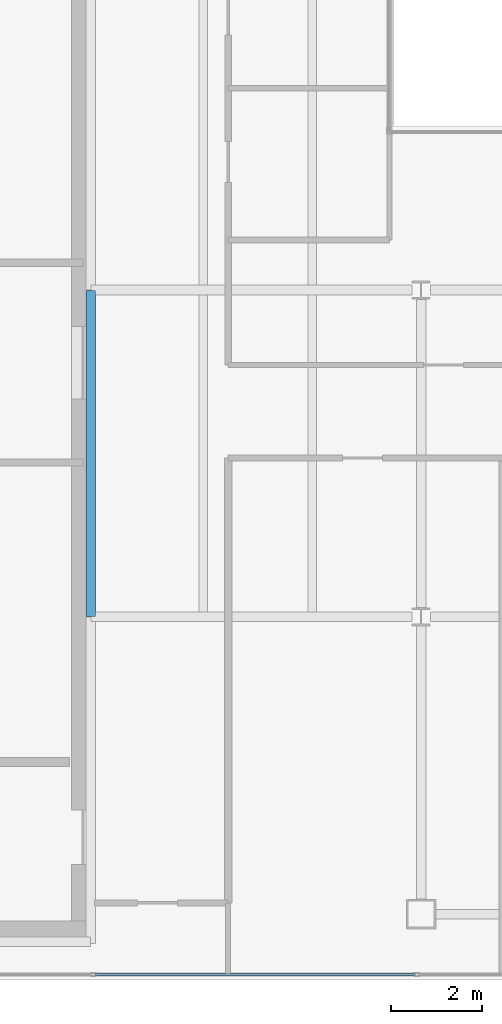
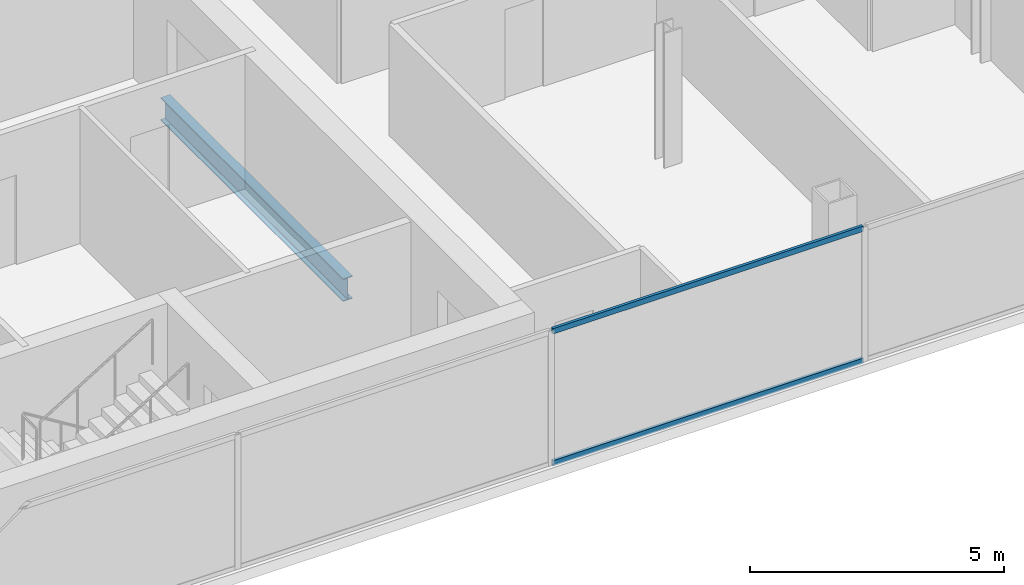
# One storey, part 4 of 23: 2 members, 1 beam, 1 element without a shape of its own.
"""IFC4 building model written with IfcOpenShell, lengths in metres."""

import ifcopenshell
import ifcopenshell.guid

model = None  # the IFC model being written
_history = None  # IfcOwnerHistory: only IFC2X3 demands one
_inside = {}  # id of a spatial element -> (the spatial element, [elements in it])
_under = {}  # id of a project, library or spatial element -> (it, [spatial elements below it])
_declared = {}  # id of a project -> (the project, [libraries it declares])
_typed = {}  # id of a type object -> (the type object, [elements of that type])
_made_of = {}  # id of a material, layer set ... -> (it, [elements and type objects made of it])


def new_model(schema):
    """Start an empty IFC model of exactly this schema.

    Asked for "IFC4X3", IfcOpenShell would pick the latest addendum, in which some entities
    have other attributes; the version numbers below select the first issue.
    IFC2X3 requires an IfcOwnerHistory on every rooted entity: one is made here for all.
    """
    global model, _history
    if schema == "IFC4X3":
        model = ifcopenshell.file(schema_version=(4, 3, 0, 0))
    else:
        model = ifcopenshell.file(schema=schema)
    _inside.clear()
    _under.clear()
    _declared.clear()
    _typed.clear()
    _made_of.clear()
    _history = None
    if model.schema == "IFC2X3":
        org = make("IfcOrganization", Name="unknown")
        user = make(
            "IfcPersonAndOrganization",
            ThePerson=make("IfcPerson", FamilyName="unknown"),
            TheOrganization=org,
        )
        app = make(
            "IfcApplication",
            ApplicationDeveloper=org,
            Version="unknown",
            ApplicationFullName="unknown",
            ApplicationIdentifier="unknown",
        )
        _history = make(
            "IfcOwnerHistory",
            OwningUser=user,
            OwningApplication=app,
            ChangeAction="ADDED",
            CreationDate=0,
        )
    return model


def make(cls, **values):
    """One entity of the class cls with the attributes given. An attribute that is None is left unset."""
    return model.create_entity(
        cls, **{name: value for name, value in values.items() if value is not None}
    )


def rooted(cls, **values):
    """An entity with a GlobalId (a new one), such as an element, a storey or a relation."""
    return make(cls, GlobalId=ifcopenshell.guid.new(), OwnerHistory=_history, **values)


def si_unit(unit_type, name, prefix=None):
    """IfcSIUnit, for example si_unit("LENGTHUNIT", "METRE", prefix="MILLI")."""
    return make("IfcSIUnit", UnitType=unit_type, Prefix=prefix, Name=name)


def assignment(units):
    """IfcUnitAssignment: the units of a project."""
    return None if units is None else make("IfcUnitAssignment", Units=units)


def point(xyz):
    """IfcCartesianPoint."""
    return None if xyz is None else make("IfcCartesianPoint", Coordinates=xyz)


def direction(xyz):
    """IfcDirection."""
    return None if xyz is None else make("IfcDirection", DirectionRatios=xyz)


def frame(location, z_axis=None, x_axis=None):
    """IfcAxis2Placement3D, a coordinate frame: its origin and axes. An axis left out is left unset."""
    return make(
        "IfcAxis2Placement3D",
        Location=point(location),
        Axis=direction(z_axis),
        RefDirection=direction(x_axis),
    )


def frame_2d(location, x_axis=None):
    """IfcAxis2Placement2D, a coordinate frame in the plane: its origin and x axis."""
    return make(
        "IfcAxis2Placement2D", Location=point(location), RefDirection=direction(x_axis)
    )


def origin():
    """The frame at (0, 0, 0) with its axes left unset."""
    return frame((0.0, 0.0, 0.0))


def origin_2d():
    """The frame at (0, 0) in the plane with its x axis left unset."""
    return frame_2d((0.0, 0.0))


def place(relative_to, where):
    """IfcLocalPlacement: puts the frame where relative to a parent placement (None: the world)."""
    return make(
        "IfcLocalPlacement", PlacementRelTo=relative_to, RelativePlacement=where
    )


def context(
    kind, dimensions, precision=None, world=None, true_north=None, identifier=None
):
    """IfcGeometricRepresentationContext, for example the 3D "Model" context."""
    return make(
        "IfcGeometricRepresentationContext",
        ContextIdentifier=identifier,
        ContextType=kind,
        CoordinateSpaceDimension=dimensions,
        Precision=precision,
        WorldCoordinateSystem=world,
        TrueNorth=true_north,
    )


def subcontext(parent, identifier, kind, view, scale=None):
    """IfcGeometricRepresentationSubContext, for example "Body" below "Model"."""
    return make(
        "IfcGeometricRepresentationSubContext",
        ContextIdentifier=identifier,
        ContextType=kind,
        ParentContext=parent,
        TargetScale=scale,
        TargetView=view,
    )


def project(units=None, contexts=None):
    """IfcProject with its units and contexts."""
    return rooted(
        "IfcProject",
        Name="project",
        RepresentationContexts=contexts,
        UnitsInContext=assignment(units),
    )


def spatial(cls, under=None, at=None, **own):
    """A site, building, storey or space (cls), placed at a placement, below another one or the project."""
    s = rooted(cls, ObjectPlacement=at, **own)
    if under is not None:
        _under.setdefault(under.id(), (under, []))[1].append(s)
    return s


def profile(cls, at=None, kind="AREA", **sizes):
    """A parametric profile (cls). Its sizes go by their IFC names, for example OverallWidth=200.0."""
    return make(cls, ProfileType=kind, Position=at, **sizes)


def hollow_rectangle(**sizes):
    """IfcRectangleHollowProfileDef."""
    return profile("IfcRectangleHollowProfileDef", **sizes)


def i_section(**sizes):
    """IfcIShapeProfileDef."""
    return profile("IfcIShapeProfileDef", **sizes)


def extrude(swept, where, along, depth):
    """IfcExtrudedAreaSolid: the profile swept, set in the frame where, extruded along a direction by depth."""
    return make(
        "IfcExtrudedAreaSolid",
        SweptArea=swept,
        Position=where,
        ExtrudedDirection=direction(along),
        Depth=depth,
    )


def shape(context_of_items, identifier, shape_type, items):
    """IfcShapeRepresentation: the items that make up one representation, for example the "Body"."""
    return make(
        "IfcShapeRepresentation",
        ContextOfItems=context_of_items,
        RepresentationIdentifier=identifier,
        RepresentationType=shape_type,
        Items=items,
    )


def material(Name=None, Category=None):
    """IfcMaterial."""
    return make("IfcMaterial", Name=Name, Category=Category)


def material_profile(
    of_material, cross_section, Name=None, Category=None, Priority=None
):
    """IfcMaterialProfile: a cross section and its material."""
    return make(
        "IfcMaterialProfile",
        Name=Name,
        Material=of_material,
        Profile=cross_section,
        Priority=Priority,
        Category=Category,
    )


def profile_set(profiles, Name=None, composite=None):
    """IfcMaterialProfileSet."""
    return make(
        "IfcMaterialProfileSet",
        Name=Name,
        MaterialProfiles=profiles,
        CompositeProfile=composite,
    )


def made_of(thing, what):
    """Note that an element or type object is made of a material, layer set ...; save() writes the relation."""
    if what is not None:
        _made_of.setdefault(what.id(), (what, []))[1].append(thing)
    return thing


def type_object(cls, material=None, **own):
    """A type object (cls), such as IfcWallType, which elements share."""
    return made_of(rooted(cls, **own), material)


def element(
    cls,
    number,
    at=None,
    inside=None,
    cuts=None,
    type_object=None,
    material=None,
    context=None,
    identifier="Body",
    shape_type=None,
    held_by="IfcProductDefinitionShape",
    body=None,
    shapes=None,
    **own,
):
    """One element of the class cls, such as IfcWall. Its Tag is "e" and its number.

    at: its placement. inside: the storey or other place that contains it. cuts: it is an
    opening in that element (IfcRelVoidsElement). A single representation is given by context,
    identifier, shape_type and body (its items); several are given by shapes. held_by: the class
    of the entity that holds the representations. save() writes the other relations.
    """
    e = rooted(cls, Tag="e%d" % number, ObjectPlacement=at, **own)
    if body is not None:
        shapes = [shape(context, identifier, shape_type, body)]
    if shapes is not None:
        e.Representation = make(held_by, Representations=shapes)
    if inside is not None:
        _inside.setdefault(inside.id(), (inside, []))[1].append(e)
    if cuts is not None:
        rooted(
            "IfcRelVoidsElement", RelatingBuildingElement=cuts, RelatedOpeningElement=e
        )
    if type_object is not None:
        _typed.setdefault(type_object.id(), (type_object, []))[1].append(e)
    return made_of(e, material)


def aggregate(whole, parts):
    """IfcRelAggregates: a whole, such as a stair, and the parts it consists of."""
    return rooted("IfcRelAggregates", RelatingObject=whole, RelatedObjects=parts)


def save(model, path):
    """Write the relations noted so far, then the file.

    IfcRelAggregates (storeys below a building ...), IfcRelContainedInSpatialStructure (elements
    in a storey), IfcRelDefinesByType, IfcRelAssociatesMaterial and IfcRelDeclares: one each for
    every whole, place, type object, material and project.
    """
    for whole, parts in _under.values():
        aggregate(whole, parts)
    for where, things in _inside.values():
        rooted(
            "IfcRelContainedInSpatialStructure",
            RelatedElements=things,
            RelatingStructure=where,
        )
    for kind, things in _typed.values():
        rooted("IfcRelDefinesByType", RelatedObjects=things, RelatingType=kind)
    for what, things in _made_of.values():
        rooted("IfcRelAssociatesMaterial", RelatedObjects=things, RelatingMaterial=what)
    for by, libraries in _declared.values():
        rooted("IfcRelDeclares", RelatingContext=by, RelatedDefinitions=libraries)
    model.write(path)


model = new_model("IFC4")

# Units and contexts
model_context = context("Model", 3, precision=1e-05, world=origin(), true_north=direction((0.0, 1.0)))
body_context = subcontext(model_context, "Body", "Model", "MODEL_VIEW")
ifc_project = project(units=[si_unit("LENGTHUNIT", "METRE"), si_unit("AREAUNIT", "SQUARE_METRE"), si_unit("VOLUMEUNIT", "CUBIC_METRE"), si_unit("PLANEANGLEUNIT", "RADIAN"), si_unit("MASSUNIT", "GRAM", prefix="KILO")], contexts=[model_context])

# Site, building, storey
site_placement = place(None, origin())
site = spatial("IfcSite", under=ifc_project, at=site_placement, CompositionType="ELEMENT")
building_placement = place(site_placement, origin())
building = spatial("IfcBuilding", under=site, at=building_placement, Name="Cobrela Telecom Tower", CompositionType="ELEMENT")
storey_placement = place(building_placement, frame((0.0, 0.0, 269.14990234375)))
storey = spatial("IfcBuildingStorey", under=building, at=storey_placement, Name="L70", CompositionType="ELEMENT", Elevation=269.14990234375)

# Beam
ifc_material_1 = material(Name="Steel ASTM A992 Grade 50", Category="steel")
ifc_material_profile_1 = material_profile(ifc_material_1, i_section(OverallWidth=0.212890625, OverallDepth=0.549072265625, WebThickness=0.0146484375, FlangeThickness=0.023681640625, FilletRadius=0.013916015625, at=origin_2d()), Name="W21X93")
ifc_profile_set_1 = profile_set([ifc_material_profile_1], Name="Steel ASTM A992 Grade 50")
beam_type = type_object("IfcBeamType", Name="BM-GIRD-08", PredefinedType="USERDEFINED", material=ifc_profile_set_1)
beam_placement = place(storey_placement, frame((14.320068359375, 14.405029296875, -0.534423828125), z_axis=(0.0, 1.0, 0.0), x_axis=(-1.0, 0.0, 0.0)))
element("IfcBeam", 1, at=beam_placement, inside=storey, type_object=beam_type, Name="L70 Primary Girder Y22", ObjectType="GIRDER", PredefinedType="USERDEFINED", context=body_context, shape_type="SweptSolid", body=[
    extrude(i_section(OverallWidth=0.212890625, OverallDepth=0.549072265625, WebThickness=0.0146484375, FlangeThickness=0.023681640625, FilletRadius=0.013916015625, at=origin_2d()), origin(), (0.0, 0.0, 1.0), 7.18994140625),
])

# Curtain wall, members
ifc_material_2 = material(Name="Anodized Bronze Aluminium 6063-T6", Category="aluminium")
curtain_wall_type = type_object("IfcCurtainWallType", Name="CW-SYS-OFF-HI", PredefinedType="USERDEFINED", material=ifc_material_2)
curtain_wall_placement = place(storey_placement, origin())
curtain_wall = element("IfcCurtainWall", 2, at=curtain_wall_placement, inside=storey, type_object=curtain_wall_type, Name="L70 Unitised Bronze Curtain Wall 15", ObjectType="UNITISED CURTAIN WALL", PredefinedType="USERDEFINED")
ifc_material_profile_2 = material_profile(ifc_material_2, hollow_rectangle(XDim=0.06494140625, YDim=0.1298828125, WallThickness=0.00390625, at=origin_2d()), Name="ALU 65x130x4")
ifc_profile_set_2 = profile_set([ifc_material_profile_2], Name="Anodized Bronze Aluminium 6063-T6")
member_type = type_object("IfcMemberType", Name="CW-SYS-OFF-HI-TRN", PredefinedType="USERDEFINED", material=ifc_profile_set_2)
member_1_placement = place(storey_placement, frame((21.469970703125, 6.52001953125, 0.03271484375), z_axis=(-1.0, 0.0, 0.0), x_axis=(0.0, -1.0, 0.0)))
member_1 = element("IfcMember", 3, at=member_1_placement, type_object=member_type, Name="CW-OFF-HI transom 4.1", ObjectType="TRANSOM", PredefinedType="USERDEFINED", context=body_context, shape_type="SweptSolid", body=[
    extrude(hollow_rectangle(XDim=0.06494140625, YDim=0.1298828125, WallThickness=0.00390625, at=origin_2d()), origin(), (0.0, 0.0, 1.0), 7.058349609375),
])
member_2_placement = place(storey_placement, frame((21.469970703125, 6.52001953125, 3.20751953125), z_axis=(-1.0, 0.0, 0.0), x_axis=(0.0, -1.0, 0.0)))
member_2 = element("IfcMember", 4, at=member_2_placement, type_object=member_type, Name="CW-OFF-HI transom 4.2", ObjectType="TRANSOM", PredefinedType="USERDEFINED", context=body_context, shape_type="SweptSolid", body=[
    extrude(hollow_rectangle(XDim=0.06494140625, YDim=0.1298828125, WallThickness=0.00390625, at=origin_2d()), origin(), (0.0, 0.0, 1.0), 7.058349609375),
])
aggregate(curtain_wall, [member_1, member_2])

save(model, "model.ifc")
